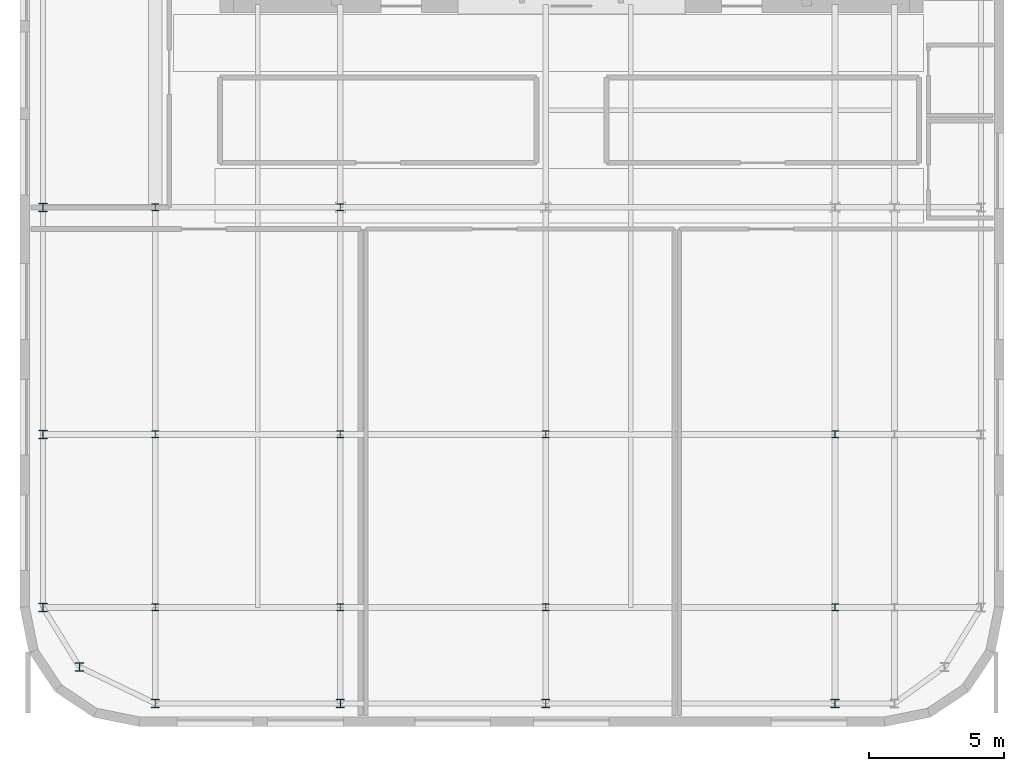
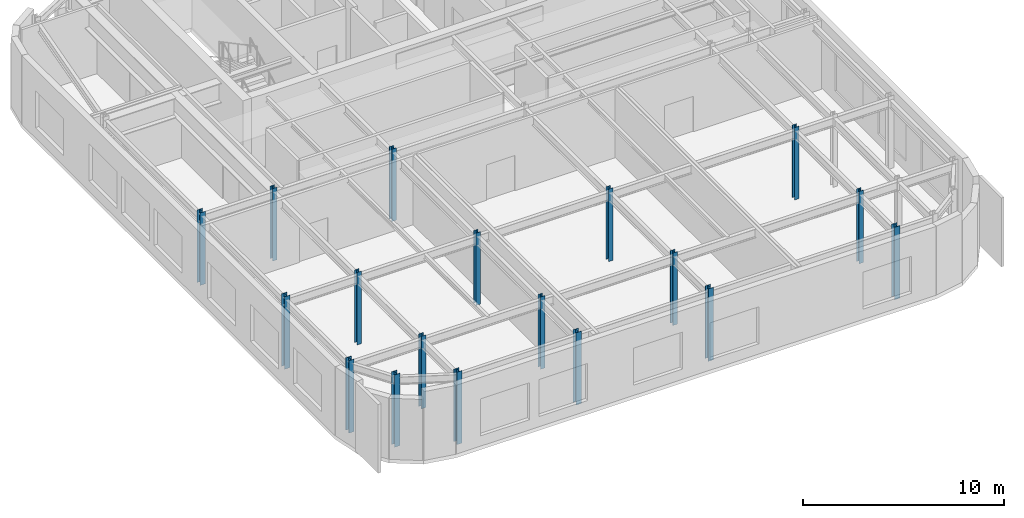
# One storey, part 1 of 10: 18 columns.
"""IFC4 building model written with IfcOpenShell, lengths in metres."""

from ifc_helpers import new_model, si_unit, direction, frame, origin, origin_2d, place, context, subcontext, project, spatial, i_section, extrude, source, transform, mapped, material, material_profile, profile_set, type_object, type_shapes, element, save


model = new_model("IFC4")

# Units and contexts
model_context = context("Model", 3, precision=1e-05, world=origin(), true_north=direction((0.0, 1.0)))
body_context = subcontext(model_context, "Body", "Model", "MODEL_VIEW")
ifc_project = project(units=[si_unit("LENGTHUNIT", "METRE"), si_unit("AREAUNIT", "SQUARE_METRE"), si_unit("VOLUMEUNIT", "CUBIC_METRE"), si_unit("PLANEANGLEUNIT", "RADIAN"), si_unit("MASSUNIT", "GRAM", prefix="KILO")], contexts=[model_context])

# Site, building, storey
site_placement = place(None, origin())
site = spatial("IfcSite", under=ifc_project, at=site_placement, CompositionType="ELEMENT")
building_placement = place(site_placement, origin())
building = spatial("IfcBuilding", under=site, at=building_placement, Name="Tolvann Quenvar Hotel", CompositionType="ELEMENT")
storey_placement = place(building_placement, frame((0.0, 0.0, 282.14990234375)))
storey = spatial("IfcBuildingStorey", under=building, at=storey_placement, Name="L75", CompositionType="ELEMENT", Elevation=282.14990234375)

# Columns
ifc_material = material(Name="Steel Grade 350", Category="steel")
ifc_material_profile_1 = material_profile(ifc_material, i_section(OverallWidth=0.306884765625, OverallDepth=0.31494140625, WebThickness=0.011962890625, FlangeThickness=0.018798828125, FilletRadius=0.0166015625, at=origin_2d()), Name="310UC118")
ifc_profile_set_1 = profile_set([ifc_material_profile_1], Name="Steel Grade 350")
column_type_1 = type_object("IfcColumnType", Name="COL_310UC118", PredefinedType="COLUMN", material=ifc_profile_set_1)
shared_shape_1 = source(origin(), body_context, "Body", "SweptSolid", [
    extrude(i_section(OverallWidth=0.306884765625, OverallDepth=0.31494140625, WebThickness=0.011962890625, FlangeThickness=0.018798828125, FilletRadius=0.0166015625, at=origin_2d()), origin(), (0.0, 0.0, 1.0), 4.400146484375),
])
type_shapes(column_type_1, [shared_shape_1])
for number, where, z_axis, x_axis, name in (
    (1, (4.800048828125, 7.39990234375, 0.0), (0.0, 0.0, 1.0), (1.0, 0.0, 0.0), "Column B2 (L75)"),
    (2, (3.449951171875, 9.60009765625, 0.0), (0.0, 0.0, 1.0), (1.0, 0.0, 0.0), "Column B3 (L75)"),
    (3, (3.449951171875, 16.0, 0.0), (0.0, 0.0, 1.0), (1.0, 0.0, 0.0), "Column B4 (L75)"),
    (4, (3.449951171875, 24.39990234375, 0.0), (0.0, 0.0, 1.0), (1.0, 0.0, 0.0), "Column B5 (L75)"),
    (5, (7.60009765625, 6.050048828125, 0.0), (0.0, 0.0, 1.0), (1.0, 0.0, 0.0), "Column C2 (L75)"),
    (6, (14.449951171875, 6.050048828125, 0.0), (0.0, 0.0, 1.0), (1.0, 0.0, 0.0), "Column D2 (L75)"),
    (7, (22.050048828125, 6.050048828125, 0.0), (0.0, 0.0, 1.0), (1.0, 0.0, 0.0), "Column E2 (L75)"),
    (8, (32.75, 6.050048828125, 0.0), (0.0, 0.0, 1.0), (1.0, 0.0, 0.0), "Column FP2 (L75)"),
):
    element("IfcColumn", number, at=place(storey_placement, frame(where, z_axis=z_axis, x_axis=x_axis)), inside=storey, type_object=column_type_1, Name=name, PredefinedType="COLUMN", context=body_context, shape_type="MappedRepresentation", body=[
        mapped(shared_shape_1, transform((0.0, 0.0, 0.0), x_axis=(1.0, 0.0, 0.0), y_axis=(0.0, 1.0, 0.0), z_axis=(0.0, 0.0, 1.0), scale=1.0)),
    ])
ifc_material_profile_2 = material_profile(ifc_material, i_section(OverallWidth=0.256103515625, OverallDepth=0.260009765625, WebThickness=0.010498046875, FlangeThickness=0.017333984375, FilletRadius=0.013916015625, at=origin_2d()), Name="250UC90")
ifc_profile_set_2 = profile_set([ifc_material_profile_2], Name="Steel Grade 350")
column_type_2 = type_object("IfcColumnType", Name="COL_250UC90", PredefinedType="COLUMN", material=ifc_profile_set_2)
shared_shape_2 = source(origin(), body_context, "Body", "SweptSolid", [
    extrude(i_section(OverallWidth=0.256103515625, OverallDepth=0.260009765625, WebThickness=0.010498046875, FlangeThickness=0.017333984375, FilletRadius=0.013916015625, at=origin_2d()), origin(), (0.0, 0.0, 1.0), 4.400146484375),
])
type_shapes(column_type_2, [shared_shape_2])
for number, where, z_axis, x_axis, name in (
    (9, (7.60009765625, 9.60009765625, 0.0), (0.0, 0.0, 1.0), (1.0, 0.0, 0.0), "Column C3 (L75)"),
    (10, (7.60009765625, 16.0, 0.0), (0.0, 0.0, 1.0), (1.0, 0.0, 0.0), "Column C4 (L75)"),
    (11, (7.60009765625, 24.39990234375, 0.0), (0.0, 0.0, 1.0), (1.0, 0.0, 0.0), "Column C5 (L75)"),
    (12, (14.449951171875, 9.60009765625, 0.0), (0.0, 0.0, 1.0), (1.0, 0.0, 0.0), "Column D3 (L75)"),
    (13, (14.449951171875, 16.0, 0.0), (0.0, 0.0, 1.0), (1.0, 0.0, 0.0), "Column D4 (L75)"),
    (14, (14.449951171875, 24.39990234375, 0.0), (0.0, 0.0, 1.0), (1.0, 0.0, 0.0), "Column D5 (L75)"),
    (15, (22.050048828125, 9.60009765625, 0.0), (0.0, 0.0, 1.0), (1.0, 0.0, 0.0), "Column E3 (L75)"),
    (16, (22.050048828125, 16.0, 0.0), (0.0, 0.0, 1.0), (1.0, 0.0, 0.0), "Column E4 (L75)"),
    (17, (32.75, 9.60009765625, 0.0), (0.0, 0.0, 1.0), (1.0, 0.0, 0.0), "Column FP3 (L75)"),
    (18, (32.75, 16.0, 0.0), (0.0, 0.0, 1.0), (1.0, 0.0, 0.0), "Column FP4 (L75)"),
):
    element("IfcColumn", number, at=place(storey_placement, frame(where, z_axis=z_axis, x_axis=x_axis)), inside=storey, type_object=column_type_2, Name=name, PredefinedType="COLUMN", context=body_context, shape_type="MappedRepresentation", body=[
        mapped(shared_shape_2, transform((0.0, 0.0, 0.0), x_axis=(1.0, 0.0, 0.0), y_axis=(0.0, 1.0, 0.0), z_axis=(0.0, 0.0, 1.0), scale=1.0)),
    ])

save(model, "model.ifc")
